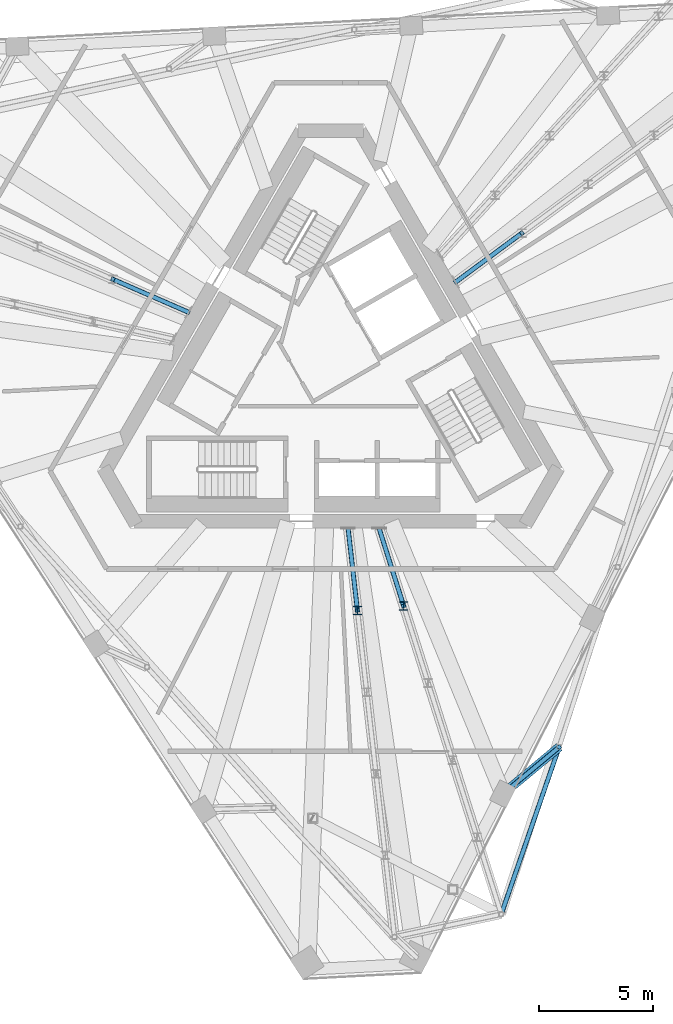
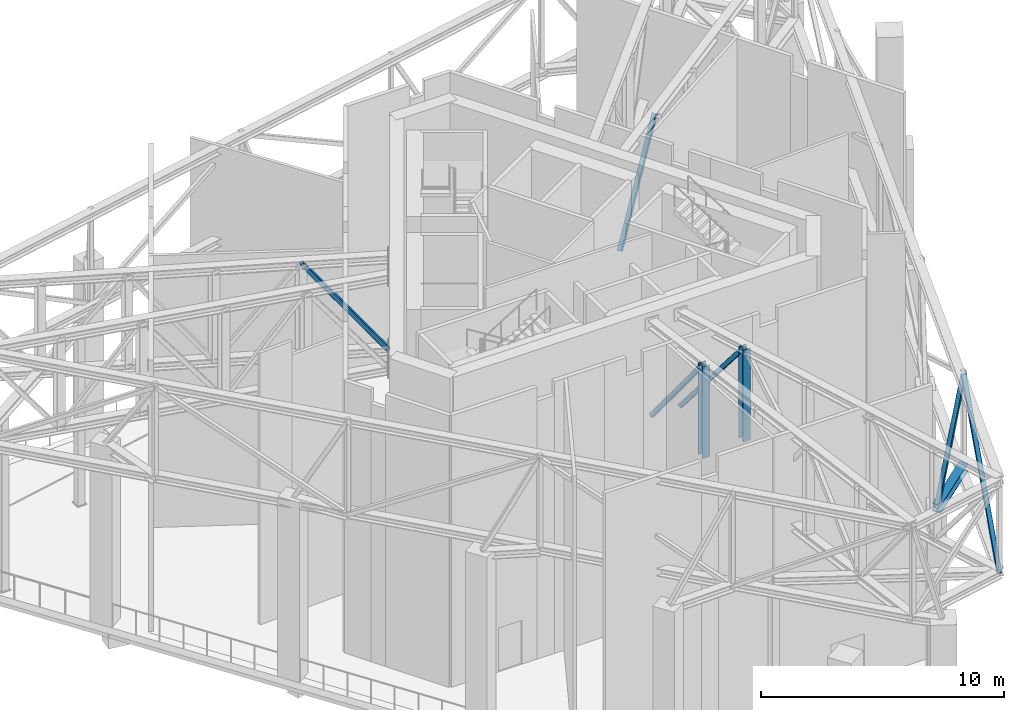
# One storey, part 7 of 23: 9 members.
"""IFC4 building model written with IfcOpenShell, lengths in metres."""

from ifc_helpers import new_model, si_unit, direction, frame, origin, origin_2d, place, context, subcontext, project, spatial, hollow_rectangle, i_section, extrude, material, material_profile, profile_set, type_object, element, save


model = new_model("IFC4")

# Units and contexts
model_context = context("Model", 3, precision=1e-05, world=origin(), true_north=direction((0.0, 1.0)))
body_context = subcontext(model_context, "Body", "Model", "MODEL_VIEW")
ifc_project = project(units=[si_unit("LENGTHUNIT", "METRE"), si_unit("AREAUNIT", "SQUARE_METRE"), si_unit("VOLUMEUNIT", "CUBIC_METRE"), si_unit("PLANEANGLEUNIT", "RADIAN"), si_unit("MASSUNIT", "GRAM", prefix="KILO")], contexts=[model_context])

# Site, building, storey
site_placement = place(None, origin())
site = spatial("IfcSite", under=ifc_project, at=site_placement, CompositionType="ELEMENT")
building_placement = place(site_placement, origin())
building = spatial("IfcBuilding", under=site, at=building_placement, Name="Tramontana Tower", CompositionType="ELEMENT")
storey_placement = place(building_placement, frame((0.0, 0.0, 306.39990234375)))
storey = spatial("IfcBuildingStorey", under=building, at=storey_placement, Name="L72", CompositionType="ELEMENT", Elevation=306.39990234375)

# Members
ifc_material_1 = material(Name="Steel ASTM A500 Grade C", Category="steel")
ifc_material_profile_1 = material_profile(ifc_material_1, hollow_rectangle(XDim=0.203125, YDim=0.203125, WallThickness=0.0087890625, InnerFilletRadius=0.0087890625, OuterFilletRadius=0.017822265625, at=origin_2d()), Name="HSS8X8X3/8")
ifc_profile_set_1 = profile_set([ifc_material_profile_1], Name="Steel ASTM A500 Grade C")
member_type_1 = type_object("IfcMemberType", Name="Belt truss HSS8X8X3/8 brace", PredefinedType="BRACE", material=ifc_profile_set_1)
member_1_placement = place(storey_placement, frame((7.489990234375, -23.709716796875, 8.84375), z_axis=(0.28141564992, 0.812404894662, 0.510689258854), x_axis=(-0.944914657897, 0.327316802641, 0.0)))
element("IfcMember", 1, at=member_1_placement, inside=storey, type_object=member_type_1, Name="Belt truss diagonal S1.1", PredefinedType="BRACE", context=body_context, shape_type="SweptSolid", body=[
    extrude(hollow_rectangle(XDim=0.203125, YDim=0.203125, WallThickness=0.0087890625, InnerFilletRadius=0.0087890625, OuterFilletRadius=0.017822265625, at=origin_2d()), origin(), (0.0, 0.0, 1.0), 9.031982421875),
])
ifc_material_2 = material(Name="Steel ASTM A500 Grade C", Category="steel")
ifc_material_profile_2 = material_profile(ifc_material_2, hollow_rectangle(XDim=0.203125, YDim=0.203125, WallThickness=0.0087890625, InnerFilletRadius=0.0087890625, OuterFilletRadius=0.017822265625, at=origin_2d()), Name="HSS8X8X3/8")
ifc_profile_set_2 = profile_set([ifc_material_profile_2], Name="Steel ASTM A500 Grade C")
member_type_2 = type_object("IfcMemberType", Name="Outrigger truss HSS8X8X3/8 brace", PredefinedType="BRACE", material=ifc_profile_set_2)
member_2_placement = place(storey_placement, frame((0.765380859375, -6.7900390625, 8.84375), z_axis=(0.069551820801, -0.611997646219, 0.787795293998), x_axis=(0.993604046456, 0.112920320875, 0.0)))
element("IfcMember", 2, at=member_2_placement, inside=storey, type_object=member_type_2, Name="Outrigger truss diagonal 1.1", PredefinedType="BRACE", context=body_context, shape_type="SweptSolid", body=[
    extrude(hollow_rectangle(XDim=0.203125, YDim=0.203125, WallThickness=0.0087890625, InnerFilletRadius=0.0087890625, OuterFilletRadius=0.017822265625, at=origin_2d()), origin(), (0.0, 0.0, 1.0), 5.85498046875),
])
member_3_placement = place(storey_placement, frame((2.13232421875, -6.7900390625, 8.84375), z_axis=(0.184108379186, -0.581394881641, 0.792517568459), x_axis=(0.953342225351, 0.301891704694, 0.0)))
element("IfcMember", 3, at=member_3_placement, inside=storey, type_object=member_type_2, Name="Outrigger truss diagonal 2.1", PredefinedType="BRACE", context=body_context, shape_type="SweptSolid", body=[
    extrude(hollow_rectangle(XDim=0.203125, YDim=0.203125, WallThickness=0.0087890625, InnerFilletRadius=0.0087890625, OuterFilletRadius=0.017822265625, at=origin_2d()), origin(), (0.0, 0.0, 1.0), 5.820068359375),
])
member_4_placement = place(storey_placement, frame((5.497802734375, 4.057861328125, 8.84375), z_axis=(0.495216780864, 0.366200216364, 0.787818342948), x_axis=(-0.594569988224, 0.804043860186, 0.0)))
element("IfcMember", 4, at=member_4_placement, inside=storey, type_object=member_type_2, Name="Outrigger truss diagonal 3.1", PredefinedType="BRACE", context=body_context, shape_type="SweptSolid", body=[
    extrude(hollow_rectangle(XDim=0.203125, YDim=0.203125, WallThickness=0.0087890625, InnerFilletRadius=0.0087890625, OuterFilletRadius=0.017822265625, at=origin_2d()), origin(), (0.0, 0.0, 1.0), 5.854736328125),
])
member_5_placement = place(storey_placement, frame((-6.262939453125, 2.732177734375, 8.84375), z_axis=(-0.564762646995, 0.245770159583, 0.787807197998), x_axis=(-0.399028106088, -0.916938695089, 0.0)))
element("IfcMember", 5, at=member_5_placement, inside=storey, type_object=member_type_2, Name="Outrigger truss diagonal 5.1", PredefinedType="BRACE", context=body_context, shape_type="SweptSolid", body=[
    extrude(hollow_rectangle(XDim=0.203125, YDim=0.203125, WallThickness=0.0087890625, InnerFilletRadius=0.0087890625, OuterFilletRadius=0.017822265625, at=origin_2d()), origin(), (0.0, 0.0, 1.0), 5.85498046875),
])
ifc_material_3 = material(Name="Steel ASTM A992 Grade 50", Category="steel")
ifc_material_profile_3 = material_profile(ifc_material_3, i_section(OverallWidth=0.368408203125, OverallDepth=0.355712890625, WebThickness=0.01123046875, FlangeThickness=0.017578125, FilletRadius=0.01513671875, at=origin_2d()), Name="W14X90")
ifc_profile_set_3 = profile_set([ifc_material_profile_3], Name="Steel ASTM A992 Grade 50")
member_type_3 = type_object("IfcMemberType", Name="Outrigger truss W14X90 post", PredefinedType="POST", material=ifc_profile_set_3)
for number, where, z_axis, x_axis, name in (
    (6, (1.172607421875, -10.373291015625, 8.84375), (0.0, 0.0, 1.0), (1.0, 0.0, 0.0), "Outrigger truss post 1.1"),
    (7, (3.203857421875, -10.173828125, 8.84375), (0.0, 0.0, 1.0), (1.0, 0.0, 0.0), "Outrigger truss post 2.1"),
):
    element("IfcMember", number, at=place(storey_placement, frame(where, z_axis=z_axis, x_axis=x_axis)), inside=storey, type_object=member_type_3, Name=name, PredefinedType="POST", context=body_context, shape_type="SweptSolid", body=[
        extrude(i_section(OverallWidth=0.368408203125, OverallDepth=0.355712890625, WebThickness=0.01123046875, FlangeThickness=0.017578125, FilletRadius=0.01513671875, at=origin_2d()), origin(), (0.0, 0.0, 1.0), 4.612548828125),
    ])
ifc_material_4 = material(Name="Steel ASTM A500 Grade C", Category="steel")
ifc_material_profile_4 = material_profile(ifc_material_4, hollow_rectangle(XDim=0.203125, YDim=0.203125, WallThickness=0.0087890625, InnerFilletRadius=0.0087890625, OuterFilletRadius=0.017822265625, at=origin_2d()), Name="HSS8X8X3/8")
ifc_profile_set_4 = profile_set([ifc_material_profile_4], Name="Steel ASTM A500 Grade C")
member_type_4 = type_object("IfcMemberType", Name="Transfer truss HSS8X8X3/8 brace", PredefinedType="BRACE", material=ifc_profile_set_4)
member_6_placement = place(storey_placement, frame((7.556640625, -18.4296875, 8.84375), z_axis=(0.440052976445, 0.365828219124, 0.820075052671), x_axis=(-0.639273736162, 0.768979252161, 0.0)))
element("IfcMember", 8, at=member_6_placement, inside=storey, type_object=member_type_4, Name="Transfer truss strut C8F05 diagonal", PredefinedType="BRACE", context=body_context, shape_type="SweptSolid", body=[
    extrude(hollow_rectangle(XDim=0.203125, YDim=0.203125, WallThickness=0.0087890625, InnerFilletRadius=0.0087890625, OuterFilletRadius=0.017822265625, at=origin_2d()), origin(), (0.0, 0.0, 1.0), 5.62451171875),
])
ifc_material_5 = material(Name="Steel ASTM A992 Grade 50", Category="steel")
ifc_material_profile_5 = material_profile(ifc_material_5, i_section(OverallWidth=0.39697265625, OverallDepth=0.387451171875, WebThickness=0.020751953125, FlangeThickness=0.033447265625, FilletRadius=0.01513671875, at=origin_2d()), Name="W14X176")
ifc_profile_set_5 = profile_set([ifc_material_profile_5], Name="Steel ASTM A992 Grade 50")
member_type_5 = type_object("IfcMemberType", Name="Transfer truss W14X176 strut", PredefinedType="STRUT", material=ifc_profile_set_5)
member_7_placement = place(storey_placement, frame((7.556640625, -18.4296875, 8.84375), z_axis=(0.768979252161, 0.639273736162, 0.0), x_axis=(-0.639273736162, 0.768979252161, 0.0)))
element("IfcMember", 9, at=member_7_placement, inside=storey, type_object=member_type_5, Name="Transfer truss strut C8F05 bottom", PredefinedType="STRUT", context=body_context, shape_type="SweptSolid", body=[
    extrude(i_section(OverallWidth=0.39697265625, OverallDepth=0.387451171875, WebThickness=0.020751953125, FlangeThickness=0.033447265625, FilletRadius=0.01513671875, at=origin_2d()), origin(), (0.0, 0.0, 1.0), 3.21875),
])

save(model, "model.ifc")
